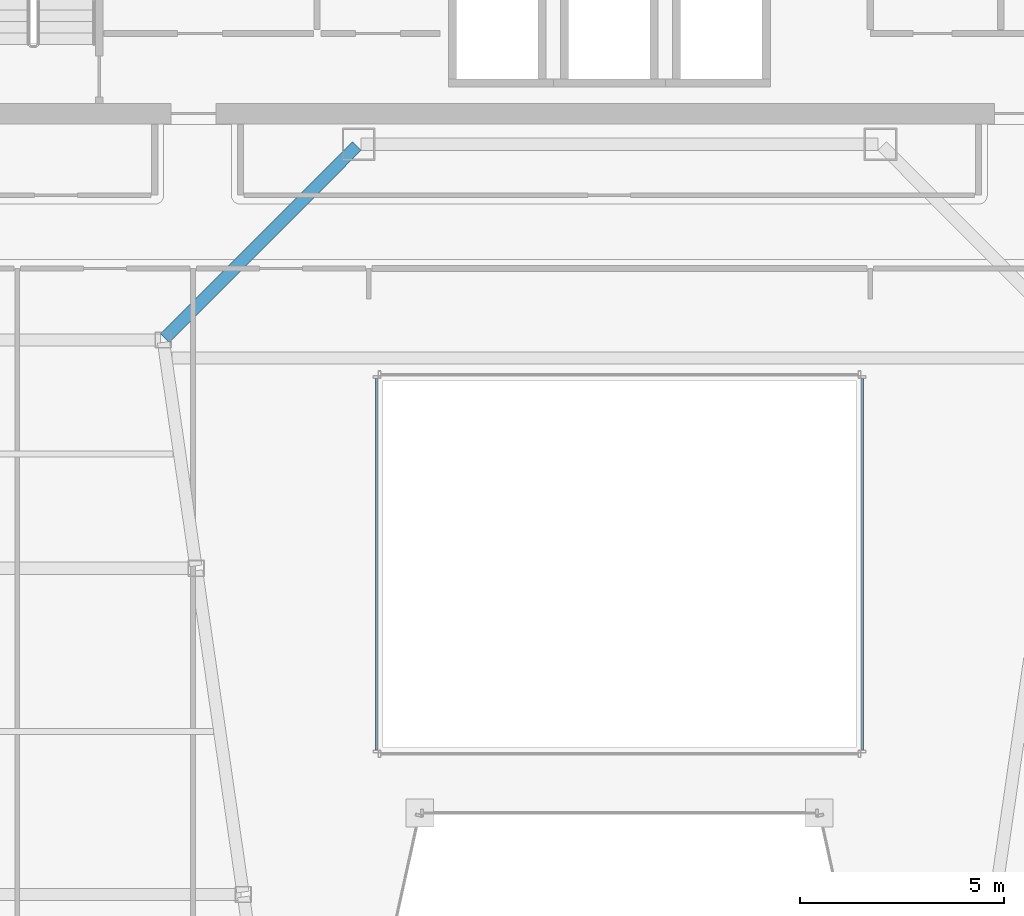
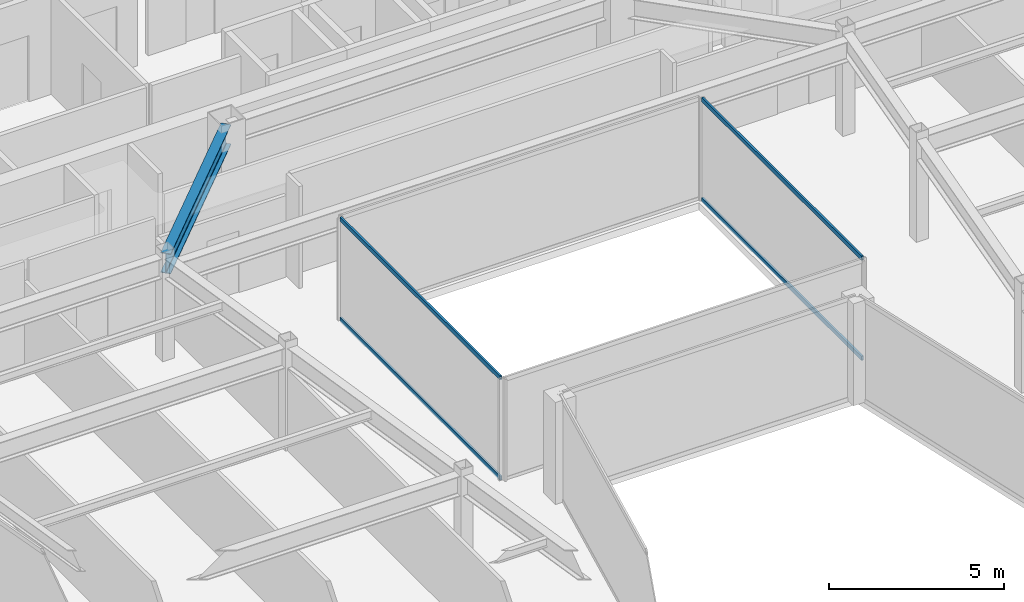
# One storey, part 12 of 36: 4 members, 1 beam, 2 elements without a shape of their own.
"""IFC4 building model written with IfcOpenShell, lengths in metres."""

from ifc_helpers import new_model, si_unit, direction, frame, origin, origin_2d, place, context, subcontext, project, spatial, hollow_rectangle, i_section, extrude, material, material_profile, profile_set, type_object, element, aggregate, save


model = new_model("IFC4")

# Units and contexts
model_context = context("Model", 3, precision=1e-05, world=origin(), true_north=direction((0.0, 1.0)))
body_context = subcontext(model_context, "Body", "Model", "MODEL_VIEW")
ifc_project = project(units=[si_unit("LENGTHUNIT", "METRE"), si_unit("AREAUNIT", "SQUARE_METRE"), si_unit("VOLUMEUNIT", "CUBIC_METRE"), si_unit("PLANEANGLEUNIT", "RADIAN"), si_unit("MASSUNIT", "GRAM", prefix="KILO")], contexts=[model_context])

# Site, building, storey
site_placement = place(None, origin())
site = spatial("IfcSite", under=ifc_project, at=site_placement, CompositionType="ELEMENT")
building_placement = place(site_placement, origin())
building = spatial("IfcBuilding", under=site, at=building_placement, Name="Saevonmaru Cultural Tower", CompositionType="ELEMENT")
storey_placement = place(building_placement, frame((0.0, 0.0, 198.0)))
storey = spatial("IfcBuildingStorey", under=building, at=storey_placement, Name="L45", CompositionType="ELEMENT", Elevation=198.0)

# Beam
ifc_material_1 = material(Name="Steel SM355", Category="steel")
ifc_material_profile_1 = material_profile(ifc_material_1, i_section(OverallWidth=0.300048828125, OverallDepth=0.699951171875, WebThickness=0.012939453125, FlangeThickness=0.02392578125, FilletRadius=0.02587890625, at=origin_2d()), Name="H-700x300x13x24")
ifc_profile_set_1 = profile_set([ifc_material_profile_1], Name="Steel SM355")
beam_type = type_object("IfcBeamType", Name="BM-G-H700", PredefinedType="BEAM", material=ifc_profile_set_1)
beam_placement = place(storey_placement, frame((18.850341796875, 37.642578125, 3.199951171875), z_axis=(0.706538566564, 0.707674539572, 0.0), x_axis=(-0.707674539572, 0.706538566564, 0.0)))
element("IfcBeam", 1, at=beam_placement, inside=storey, type_object=beam_type, Name="L45 West Atrium Girder 4", PredefinedType="BEAM", context=body_context, shape_type="SweptSolid", body=[
    extrude(i_section(OverallWidth=0.300048828125, OverallDepth=0.699951171875, WebThickness=0.012939453125, FlangeThickness=0.02392578125, FilletRadius=0.02587890625, at=origin_2d()), origin(), (0.0, 0.0, 1.0), 6.662353515625),
])

# Curtain wall, members
ifc_material_2 = material(Name="Satin Bronze Anodised Aluminium", Category="aluminium")
curtain_wall_type = type_object("IfcCurtainWallType", Name="CW-ATR-GLZ", PredefinedType="NOTDEFINED", material=ifc_material_2)
curtain_wall_1_placement = place(storey_placement, origin())
curtain_wall_1 = element("IfcCurtainWall", 2, at=curtain_wall_1_placement, inside=storey, type_object=curtain_wall_type, Name="L45 Vertical Atrium Glazed Smoke Screen 2", PredefinedType="NOTDEFINED")
ifc_material_profile_2 = material_profile(ifc_material_2, hollow_rectangle(XDim=0.06494140625, YDim=0.14990234375, WallThickness=0.00390625, at=origin_2d()), Name="ALU-TRAN-150x65x4")
ifc_profile_set_2 = profile_set([ifc_material_profile_2], Name="Satin Bronze Anodised Aluminium")
member_type = type_object("IfcMemberType", Name="TR-CW-INT-150x65", PredefinedType="USERDEFINED", material=ifc_profile_set_2)
member_1_placement = place(storey_placement, frame((35.949951171875, 27.54248046875, 0.032470703125), z_axis=(0.0, 1.0, 0.0), x_axis=(-1.0, 0.0, 0.0)))
member_1 = element("IfcMember", 3, at=member_1_placement, type_object=member_type, Name="CW-ATR-L45-2 transom 1.1", ObjectType="TRANSOM", PredefinedType="USERDEFINED", context=body_context, shape_type="SweptSolid", body=[
    extrude(hollow_rectangle(XDim=0.06494140625, YDim=0.14990234375, WallThickness=0.00390625, at=origin_2d()), origin(), (0.0, 0.0, 1.0), 9.114990234375),
])
member_2_placement = place(storey_placement, frame((35.949951171875, 27.54248046875, 3.517578125), z_axis=(0.0, 1.0, 0.0), x_axis=(-1.0, 0.0, 0.0)))
member_2 = element("IfcMember", 4, at=member_2_placement, type_object=member_type, Name="CW-ATR-L45-2 transom 1.2", ObjectType="TRANSOM", PredefinedType="USERDEFINED", context=body_context, shape_type="SweptSolid", body=[
    extrude(hollow_rectangle(XDim=0.06494140625, YDim=0.14990234375, WallThickness=0.00390625, at=origin_2d()), origin(), (0.0, 0.0, 1.0), 9.114990234375),
])
aggregate(curtain_wall_1, [member_1, member_2])

curtain_wall_2_placement = place(storey_placement, origin())
curtain_wall_2 = element("IfcCurtainWall", 5, at=curtain_wall_2_placement, inside=storey, type_object=curtain_wall_type, Name="L45 Vertical Atrium Glazed Smoke Screen 4", PredefinedType="NOTDEFINED")
member_3_placement = place(storey_placement, frame((24.050048828125, 36.657470703125, 0.032470703125), z_axis=(0.0, -1.0, 0.0), x_axis=(1.0, 0.0, 0.0)))
member_3 = element("IfcMember", 6, at=member_3_placement, type_object=member_type, Name="CW-ATR-L45-4 transom 1.1", ObjectType="TRANSOM", PredefinedType="USERDEFINED", context=body_context, shape_type="SweptSolid", body=[
    extrude(hollow_rectangle(XDim=0.06494140625, YDim=0.14990234375, WallThickness=0.00390625, at=origin_2d()), origin(), (0.0, 0.0, 1.0), 9.114990234375),
])
member_4_placement = place(storey_placement, frame((24.050048828125, 36.657470703125, 3.517578125), z_axis=(0.0, -1.0, 0.0), x_axis=(1.0, 0.0, 0.0)))
member_4 = element("IfcMember", 7, at=member_4_placement, type_object=member_type, Name="CW-ATR-L45-4 transom 1.2", ObjectType="TRANSOM", PredefinedType="USERDEFINED", context=body_context, shape_type="SweptSolid", body=[
    extrude(hollow_rectangle(XDim=0.06494140625, YDim=0.14990234375, WallThickness=0.00390625, at=origin_2d()), origin(), (0.0, 0.0, 1.0), 9.114990234375),
])
aggregate(curtain_wall_2, [member_3, member_4])

save(model, "model.ifc")
